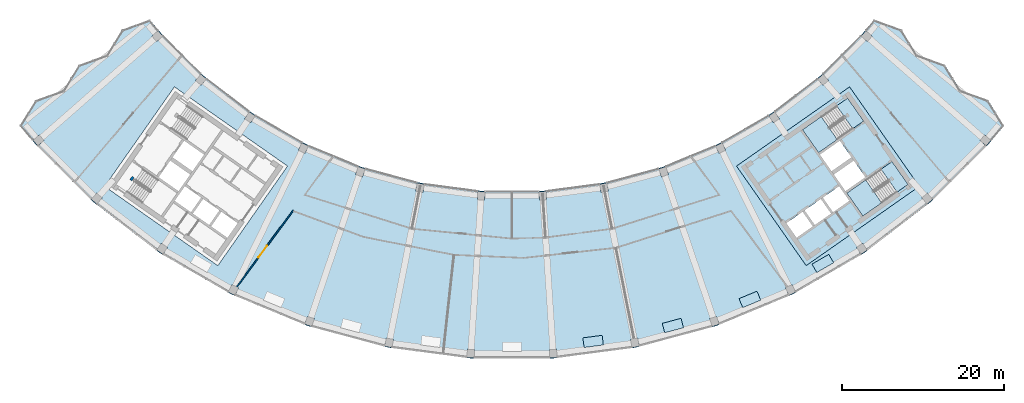
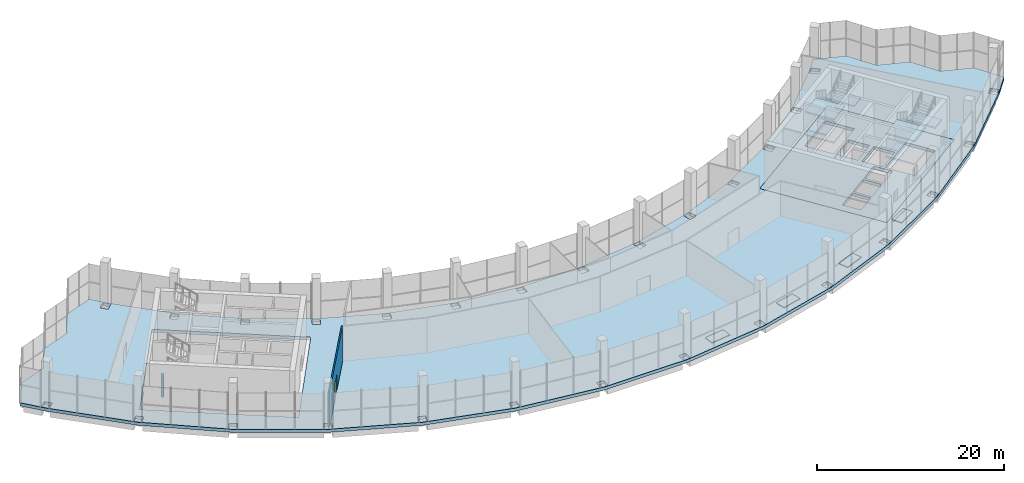
# One storey, part 2 of 41: 8 slabs, 4 plates, 2 walls, 1 door, 1 opening, 2 elements without a shape of their own.
"""IFC4 building model written with IfcOpenShell, lengths in metres."""

from ifc_helpers import new_model, si_unit, direction, frame, frame_2d, origin, origin_2d, place, context, subcontext, project, spatial, polyline, rectangle, outline, extrude, material, layer, layer_set, type_object, element, fill, aggregate, save


model = new_model("IFC4")

# Units and contexts
model_context = context("Model", 3, precision=1e-05, world=origin(), true_north=direction((0.0, 1.0)))
body_context = subcontext(model_context, "Body", "Model", "MODEL_VIEW")
ifc_project = project(units=[si_unit("LENGTHUNIT", "METRE"), si_unit("AREAUNIT", "SQUARE_METRE"), si_unit("VOLUMEUNIT", "CUBIC_METRE"), si_unit("PLANEANGLEUNIT", "RADIAN"), si_unit("MASSUNIT", "GRAM", prefix="KILO")], contexts=[model_context])

# Site, building, storey
site_placement = place(None, origin())
site = spatial("IfcSite", under=ifc_project, at=site_placement, CompositionType="ELEMENT")
building_placement = place(site_placement, origin())
building = spatial("IfcBuilding", under=site, at=building_placement, Name="Qamariyya Broadcast Tower", CompositionType="ELEMENT")
storey_placement = place(building_placement, frame((0.0, 0.0, 284.699951171875)))
storey = spatial("IfcBuildingStorey", under=building, at=storey_placement, Name="L69", CompositionType="ELEMENT", Elevation=284.699951171875)

# Slabs
ifc_material_1 = material(Name="Concrete C40/50", Category="concrete")
ifc_layer_1 = layer(ifc_material_1, 0.39990234375)
ifc_layer_set_1 = layer_set([ifc_layer_1], Name="Core floor slab 400 mm Concrete C40/50")
slab_type_1 = type_object("IfcSlabType", Name="Core floor slab 400 mm Concrete C40/50", PredefinedType="FLOOR", material=ifc_layer_set_1)
slab_1_placement = place(storey_placement, frame((0.0, 0.0, -0.39990234375)))
element("IfcSlab", 1, at=slab_1_placement, inside=storey, type_object=slab_type_1, Name="k-E-L69-slab", PredefinedType="FLOOR", context=body_context, shape_type="SweptSolid", body=[
    extrude(outline(polyline([(36.32373046875, -66.734375), (50.286376953125, -56.95751953125), (41.6826171875, -44.67041015625), (27.719970703125, -54.447021484375), (36.32373046875, -66.734375)]), holes=[polyline([(33.87353515625, -61.49169921875), (35.88037109375, -60.08642578125), (37.142333984375, -61.888427734375), (35.13525390625, -63.293701171875), (33.87353515625, -61.49169921875)]), polyline([(36.126220703125, -59.914306640625), (38.133056640625, -58.509033203125), (39.394775390625, -60.311279296875), (37.387939453125, -61.716552734375), (36.126220703125, -59.914306640625)]), polyline([(38.378662109375, -58.3369140625), (40.3857421875, -56.931640625), (41.6474609375, -58.73388671875), (39.640625, -60.13916015625), (38.378662109375, -58.3369140625)]), polyline([(39.742431640625, -55.489990234375), (42.199951171875, -53.769287109375), (43.6337890625, -55.817138671875), (41.17626953125, -57.537841796875), (39.742431640625, -55.489990234375)]), polyline([(39.45556640625, -55.080322265625), (41.9130859375, -53.359619140625), (40.47900390625, -51.311767578125), (38.021728515625, -53.032470703125), (39.45556640625, -55.080322265625)]), polyline([(40.082275390625, -47.01171875), (35.870849609375, -49.960693359375), (37.849609375, -52.78662109375), (42.06103515625, -49.837890625), (40.082275390625, -47.01171875)]), polyline([(45.559814453125, -54.834716796875), (41.348388671875, -57.783447265625), (43.3271484375, -60.609619140625), (47.538818359375, -57.66064453125), (45.559814453125, -54.834716796875)])]), origin(), (0.0, 0.0, 1.0), 0.39990234375),
])
ifc_layer_2 = layer(ifc_material_1, 0.39990234375)
ifc_layer_set_2 = layer_set([ifc_layer_2], Name="Post-tensioned floor slab 400 C40/50")
slab_type_2 = type_object("IfcSlabType", Name="Post-tensioned floor slab 400 C40/50", PredefinedType="FLOOR", material=ifc_layer_set_2)
slab_2_placement = place(storey_placement, frame((0.0, 0.0, -0.39990234375)))
element("IfcSlab", 2, at=slab_2_placement, inside=storey, type_object=slab_type_2, Name="Floor slab S3 L69", PredefinedType="FLOOR", context=body_context, shape_type="SweptSolid", body=[
    extrude(outline(polyline([(-58.822509765625, -46.367431640625), (-60.746826171875, -49.482666015625), (-58.90673828125, -51.65966796875), (-51.65966796875, -58.90673828125), (-43.52880859375, -65.145751953125), (-34.6533203125, -70.27001953125), (-25.184814453125, -74.19189453125), (-15.285400390625, -76.844482421875), (-5.124267578125, -78.18212890625), (5.124267578125, -78.18212890625), (15.285400390625, -76.844482421875), (25.184814453125, -74.19189453125), (34.6533203125, -70.27001953125), (43.52880859375, -65.145751953125), (51.65966796875, -58.90673828125), (58.90673828125, -51.65966796875), (60.746826171875, -49.482666015625), (58.822509765625, -46.367431640625), (55.397216796875, -45.125), (53.471923828125, -42.009033203125), (50.04736328125, -40.76708984375), (48.12109375, -37.650634765625), (44.697509765625, -36.409423828125), (43.343505859375, -38.01123046875), (38.01123046875, -43.343505859375), (32.028564453125, -47.934326171875), (25.498046875, -51.704833984375), (18.531005859375, -54.590576171875), (11.2470703125, -56.542236328125), (3.7705078125, -57.526611328125), (-3.7705078125, -57.526611328125), (-11.2470703125, -56.542236328125), (-18.531005859375, -54.590576171875), (-25.498046875, -51.704833984375), (-32.028564453125, -47.934326171875), (-38.01123046875, -43.343505859375), (-43.343505859375, -38.01123046875), (-44.697509765625, -36.409423828125), (-48.12109375, -37.650634765625), (-50.04736328125, -40.76708984375), (-53.471923828125, -42.009033203125), (-55.397216796875, -45.125), (-58.822509765625, -46.367431640625)]), holes=[polyline([(-4.668701171875, -78.11181640625), (-5.56689453125, -78.052978515625), (-5.50146484375, -77.05517578125), (-4.603271484375, -77.114013671875), (-4.668701171875, -78.11181640625)]), polyline([(-15.707275390625, -76.65869140625), (-15.511962890625, -75.677978515625), (-14.62939453125, -75.853515625), (-14.824462890625, -76.834228515625), (-15.707275390625, -76.65869140625)]), polyline([(-25.578857421875, -73.95263671875), (-25.25732421875, -73.005615234375), (-24.405029296875, -73.294921875), (-24.7265625, -74.241943359375), (-25.578857421875, -73.95263671875)]), polyline([(-35.0126953125, -69.981201171875), (-34.5703125, -69.08447265625), (-33.76318359375, -69.482421875), (-34.20556640625, -70.37939453125), (-35.0126953125, -69.981201171875)]), polyline([(-43.847412109375, -64.8125), (-43.2919921875, -63.98095703125), (-42.543701171875, -64.48095703125), (-43.09912109375, -65.3125), (-43.847412109375, -64.8125)]), polyline([(-51.93212890625, -58.53466796875), (-51.272705078125, -57.782958984375), (-50.59619140625, -58.376220703125), (-51.25537109375, -59.128173828125), (-51.93212890625, -58.53466796875)]), polyline([(-4.29150390625, -58.5947265625), (-4.22607421875, -57.596923828125), (-3.327880859375, -57.65576171875), (-3.393310546875, -58.653564453125), (-4.29150390625, -58.5947265625)]), polyline([(-11.90283203125, -57.533447265625), (-11.707763671875, -56.552490234375), (-10.8251953125, -56.72802734375), (-11.020263671875, -57.708984375), (-11.90283203125, -57.533447265625)]), polyline([(-50.286376953125, -56.95751953125), (-41.6826171875, -44.67041015625), (-27.719970703125, -54.447021484375), (-36.32373046875, -66.734375), (-50.286376953125, -56.95751953125)]), polyline([(-19.310791015625, -55.487548828125), (-18.9892578125, -54.54052734375), (-18.136962890625, -54.829833984375), (-18.45849609375, -55.77685546875), (-19.310791015625, -55.487548828125)]), polyline([(-26.387939453125, -52.4921875), (-25.94580078125, -51.595458984375), (-25.138671875, -51.993408203125), (-25.580810546875, -52.890380859375), (-26.387939453125, -52.4921875)]), polyline([(-59.128173828125, -51.25537109375), (-58.376220703125, -50.59619140625), (-57.782958984375, -51.272705078125), (-58.53466796875, -51.93212890625), (-59.128173828125, -51.25537109375)]), polyline([(-33.013916015625, -48.598876953125), (-32.458251953125, -47.767333984375), (-31.7099609375, -48.267333984375), (-32.265625, -49.098876953125), (-33.013916015625, -48.598876953125)]), polyline([(-39.074951171875, -43.873779296875), (-38.41552734375, -43.1220703125), (-37.739013671875, -43.71533203125), (-38.398193359375, -44.46728515625), (-39.074951171875, -43.873779296875)]), polyline([(-44.46728515625, -38.398193359375), (-43.71533203125, -37.739013671875), (-43.1220703125, -38.41552734375), (-43.873779296875, -39.074951171875), (-44.46728515625, -38.398193359375)]), polyline([(5.56689453125, -78.052978515625), (4.668701171875, -78.11181640625), (4.603271484375, -77.114013671875), (5.50146484375, -77.05517578125), (5.56689453125, -78.052978515625)]), polyline([(14.824462890625, -76.834228515625), (14.62939453125, -75.853515625), (15.511962890625, -75.677978515625), (15.707275390625, -76.65869140625), (14.824462890625, -76.834228515625)]), polyline([(24.7265625, -74.241943359375), (24.405029296875, -73.294921875), (25.25732421875, -73.005615234375), (25.578857421875, -73.95263671875), (24.7265625, -74.241943359375)]), polyline([(34.20556640625, -70.37939453125), (33.76318359375, -69.482421875), (34.5703125, -69.08447265625), (35.0126953125, -69.981201171875), (34.20556640625, -70.37939453125)]), polyline([(43.09912109375, -65.3125), (42.543701171875, -64.48095703125), (43.2919921875, -63.98095703125), (43.847412109375, -64.8125), (43.09912109375, -65.3125)]), polyline([(51.25537109375, -59.128173828125), (50.59619140625, -58.376220703125), (51.272705078125, -57.782958984375), (51.93212890625, -58.53466796875), (51.25537109375, -59.128173828125)]), polyline([(3.393310546875, -58.653564453125), (3.327880859375, -57.65576171875), (4.22607421875, -57.596923828125), (4.29150390625, -58.5947265625), (3.393310546875, -58.653564453125)]), polyline([(11.020263671875, -57.708984375), (10.8251953125, -56.72802734375), (11.707763671875, -56.552490234375), (11.90283203125, -57.533447265625), (11.020263671875, -57.708984375)]), polyline([(36.32373046875, -66.734375), (27.719970703125, -54.447021484375), (41.6826171875, -44.67041015625), (50.286376953125, -56.95751953125), (36.32373046875, -66.734375)]), polyline([(18.45849609375, -55.77685546875), (18.136962890625, -54.829833984375), (18.9892578125, -54.54052734375), (19.310791015625, -55.487548828125), (18.45849609375, -55.77685546875)]), polyline([(25.580810546875, -52.890380859375), (25.138671875, -51.993408203125), (25.94580078125, -51.595458984375), (26.387939453125, -52.4921875), (25.580810546875, -52.890380859375)]), polyline([(58.53466796875, -51.93212890625), (57.782958984375, -51.272705078125), (58.376220703125, -50.59619140625), (59.128173828125, -51.25537109375), (58.53466796875, -51.93212890625)]), polyline([(32.265625, -49.098876953125), (31.7099609375, -48.267333984375), (32.458251953125, -47.767333984375), (33.013916015625, -48.598876953125), (32.265625, -49.098876953125)]), polyline([(38.398193359375, -44.46728515625), (37.739013671875, -43.71533203125), (38.41552734375, -43.1220703125), (39.074951171875, -43.873779296875), (38.398193359375, -44.46728515625)]), polyline([(43.873779296875, -39.074951171875), (43.1220703125, -38.41552734375), (43.71533203125, -37.739013671875), (44.46728515625, -38.398193359375), (43.873779296875, -39.074951171875)])]), origin(), (0.0, 0.0, 1.0), 0.39990234375),
])

# Stair, slabs
ifc_material_2 = material(Name="Concrete C50/60", Category="concrete")
stair_type = type_object("IfcStairType", Name="Exit stair 36 risers of 167 mm", PredefinedType="HALF_TURN_STAIR", material=ifc_material_2)
stair_1_placement = place(storey_placement, origin())
stair_1 = element("IfcStair", 3, at=stair_1_placement, inside=storey, type_object=stair_type, Name="L69 Stair E2", PredefinedType="HALF_TURN_STAIR")
ifc_layer_3 = layer(ifc_material_2, 0.199951171875)
ifc_layer_set_3 = layer_set([ifc_layer_3], Name="Stair landing")
slab_type_3 = type_object("IfcSlabType", Name="Stair landing", PredefinedType="LANDING", material=ifc_layer_set_3)
slab_3_placement = place(storey_placement, frame((0.0, 0.0, 1.300048828125)))
slab_3 = element("IfcSlab", 4, at=slab_3_placement, type_object=slab_type_3, Name="ST-E2 landing 1", PredefinedType="LANDING", context=body_context, shape_type="SweptSolid", body=[
    extrude(outline(polyline([(38.1884765625, -48.337890625), (35.870849609375, -49.960693359375), (37.849609375, -52.78662109375), (40.167236328125, -51.163818359375), (38.1884765625, -48.337890625)])), origin(), (0.0, 0.0, 1.0), 0.199951171875),
])
slab_4_placement = place(storey_placement, frame((0.0, 0.0, 2.800048828125)))
slab_4 = element("IfcSlab", 5, at=slab_4_placement, type_object=slab_type_3, Name="ST-E2 landing 2", PredefinedType="LANDING", context=body_context, shape_type="SweptSolid", body=[
    extrude(outline(polyline([(41.437255859375, -46.06298828125), (40.082275390625, -47.01171875), (42.06103515625, -49.837890625), (43.416015625, -48.88916015625), (41.437255859375, -46.06298828125)])), origin(), (0.0, 0.0, 1.0), 0.199951171875),
])
slab_5_placement = place(storey_placement, frame((0.0, 0.0, 4.300048828125)))
slab_5 = element("IfcSlab", 6, at=slab_5_placement, type_object=slab_type_3, Name="ST-E2 landing 3", PredefinedType="LANDING", context=body_context, shape_type="SweptSolid", body=[
    extrude(outline(polyline([(38.1884765625, -48.337890625), (35.870849609375, -49.960693359375), (37.849609375, -52.78662109375), (40.167236328125, -51.163818359375), (38.1884765625, -48.337890625)])), origin(), (0.0, 0.0, 1.0), 0.199951171875),
])
aggregate(stair_1, [slab_3, slab_4, slab_5])

stair_2_placement = place(storey_placement, origin())
stair_2 = element("IfcStair", 7, at=stair_2_placement, inside=storey, type_object=stair_type, Name="L69 Stair E1", PredefinedType="HALF_TURN_STAIR")
slab_6_placement = place(storey_placement, frame((0.0, 0.0, 1.300048828125)))
slab_6 = element("IfcSlab", 8, at=slab_6_placement, type_object=slab_type_3, Name="ST-E1 landing 1", PredefinedType="LANDING", context=body_context, shape_type="SweptSolid", body=[
    extrude(outline(polyline([(43.666015625, -56.16064453125), (41.348388671875, -57.783447265625), (43.3271484375, -60.609619140625), (45.644775390625, -58.98681640625), (43.666015625, -56.16064453125)])), origin(), (0.0, 0.0, 1.0), 0.199951171875),
])
slab_7_placement = place(storey_placement, frame((0.0, 0.0, 2.800048828125)))
slab_7 = element("IfcSlab", 9, at=slab_7_placement, type_object=slab_type_3, Name="ST-E1 landing 2", PredefinedType="LANDING", context=body_context, shape_type="SweptSolid", body=[
    extrude(outline(polyline([(46.914794921875, -53.885986328125), (45.559814453125, -54.834716796875), (47.538818359375, -57.66064453125), (48.8935546875, -56.7119140625), (46.914794921875, -53.885986328125)])), origin(), (0.0, 0.0, 1.0), 0.199951171875),
])
slab_8_placement = place(storey_placement, frame((0.0, 0.0, 4.300048828125)))
slab_8 = element("IfcSlab", 10, at=slab_8_placement, type_object=slab_type_3, Name="ST-E1 landing 3", PredefinedType="LANDING", context=body_context, shape_type="SweptSolid", body=[
    extrude(outline(polyline([(43.666015625, -56.16064453125), (41.348388671875, -57.783447265625), (43.3271484375, -60.609619140625), (45.644775390625, -58.98681640625), (43.666015625, -56.16064453125)])), origin(), (0.0, 0.0, 1.0), 0.199951171875),
])
aggregate(stair_2, [slab_6, slab_7, slab_8])

# Plates
ifc_material_3 = material(Name="Laminated structural glass", Category="glass")
ifc_layer_4 = layer(ifc_material_3, 0.06005859375)
ifc_layer_set_4 = layer_set([ifc_layer_4], Name="Structural glass floor panel 1200 x 2400")
plate_type = type_object("IfcPlateType", Name="Structural glass floor panel 1200 x 2400", PredefinedType="SHEET", material=ifc_layer_set_4)
for number, where, z_axis, x_axis, name in (
    (11, (10.017822265625, -76.093505859375, 0.0), (0.0, 0.0, 1.0), (0.991444861374, 0.13052619222, 0.0), "e-pl-L69-gp06"),
    (12, (19.8642578125, -74.134765625, 0.0), (0.0, 0.0, 1.0), (0.965925826289, 0.258819045103, 0.0), "e-pl-L69-gp07"),
    (13, (29.370849609375, -70.90771484375, 0.0), (0.0, 0.0, 1.0), (0.923879532511, 0.382683432365, 0.0), "e-pl-L69-gp08"),
    (14, (38.375, -66.467529296875, 0.0), (0.0, 0.0, 1.0), (0.866025403784, 0.5, 0.0), "e-pl-L69-gp09"),
):
    element("IfcPlate", number, at=place(storey_placement, frame(where, z_axis=z_axis, x_axis=x_axis)), inside=storey, type_object=plate_type, Name=name, PredefinedType="SHEET", context=body_context, shape_type="SweptSolid", body=[
        extrude(rectangle(XDim=2.39990234375, YDim=1.199951171875, at=origin_2d()), origin(), (0.0, 0.0, 1.0), 0.06005859375),
    ])

# Wall, opening, door
ifc_material_4 = material(Name="Gypsum board partition")
ifc_layer_5 = layer(ifc_material_4, 0.14990234375)
ifc_layer_set_5 = layer_set([ifc_layer_5], Name="Corridor partition 150 EI 60")
wall_type_1 = type_object("IfcWallType", Name="Corridor partition 150 EI 60", PredefinedType="PARTITIONING", material=ifc_layer_set_5)
wall_1_placement = place(storey_placement, frame((-27.012939453125, -59.919189453125, 0.0), z_axis=(0.0, 0.0, 1.0), x_axis=(-0.593869528805, -0.804561360467, 0.0)))
wall_1 = element("IfcWall", 15, at=wall_1_placement, inside=storey, type_object=wall_type_1, Name="Partition L69-002", PredefinedType="PARTITIONING", context=body_context, shape_type="SweptSolid", body=[
    extrude(rectangle(XDim=12.665283203125, YDim=0.14990234375, at=frame_2d((6.33251953125, 0.0))), origin(), (0.0, 0.0, 1.0), 4.60009765625),
])
opening_placement = place(wall_1_placement, frame((5.4326171875, 0.0, 0.0)))
opening = element("IfcOpeningElement", 16, at=opening_placement, cuts=wall_1, Name="Opening L69-D01", PredefinedType="OPENING", context=body_context, shape_type="SweptSolid", body=[
    extrude(rectangle(XDim=1.800048828125, YDim=2.10009765625, at=frame_2d((0.89990234375, 1.050048828125))), frame((0.0, 0.0849609375, 0.0), z_axis=(0.0, -1.0, 0.0), x_axis=(1.0, 0.0, 0.0)), (0.0, 0.0, 1.0), 0.169921875),
])
ifc_material_5 = material(Name="Timber fire door leaf", Category="wood")
door_type = type_object("IfcDoorType", Name="Double fire door 1800 x 2100 FD60", OperationType="NOTDEFINED", PredefinedType="DOOR", material=ifc_material_5)
door_placement = place(opening_placement, origin())
door = element("IfcDoor", 17, at=door_placement, inside=storey, type_object=door_type, Name="Door L69-D01", OperationType="DOUBLE_DOOR_SINGLE_SWING", OverallHeight=2.10009765625, OverallWidth=1.800048828125, PredefinedType="DOOR", context=body_context, shape_type="SweptSolid", body=[
    extrude(rectangle(XDim=1.800048828125, YDim=2.10009765625, at=frame_2d((0.89990234375, 1.050048828125))), frame((0.0, 0.02490234375, 0.0), z_axis=(0.0, -1.0, 0.0), x_axis=(1.0, 0.0, 0.0)), (0.0, 0.0, 1.0), 0.050048828125),
])
fill(opening, door)

# Wall
ifc_material_6 = material(Name="Concrete C60/75", Category="concrete")
ifc_layer_6 = layer(ifc_material_6, 0.300048828125)
ifc_layer_set_6 = layer_set([ifc_layer_6], Name="Lift shaft wall 300 mm Concrete C60/75")
wall_type_2 = type_object("IfcWallType", Name="Lift shaft wall 300 mm Concrete C60/75", PredefinedType="SOLIDWALL", material=ifc_layer_set_6)
wall_2_placement = place(storey_placement, frame((-47.064697265625, -56.19189453125, 0.0), z_axis=(0.0, 0.0, 1.0), x_axis=(0.573822822947, 0.818979467304, 0.0)))
element("IfcWall", 18, at=wall_2_placement, inside=storey, type_object=wall_type_2, Name="k-W-L69-W1PR", PredefinedType="SOLIDWALL", context=body_context, shape_type="SweptSolid", body=[
    extrude(rectangle(XDim=0.5, YDim=0.300048828125, at=frame_2d((0.25, 0.0))), origin(), (0.0, 0.0, 1.0), 2.800048828125),
])

save(model, "model.ifc")
